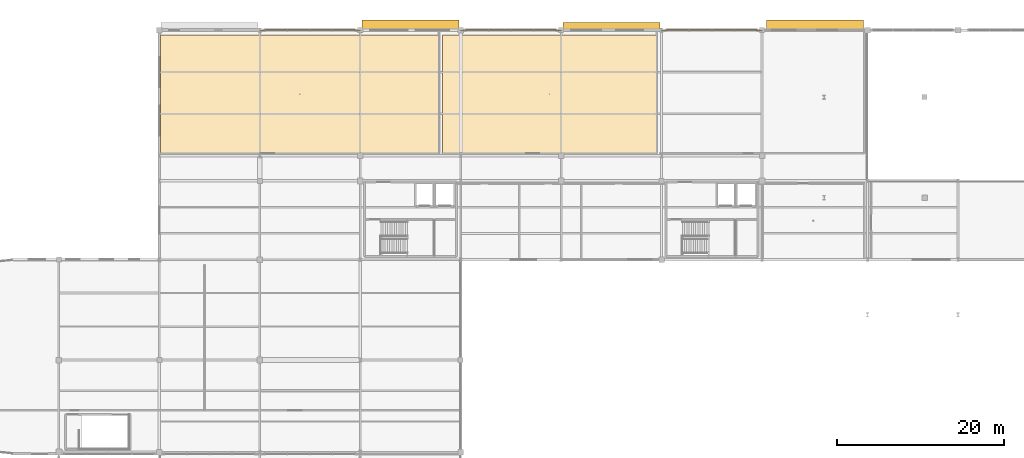
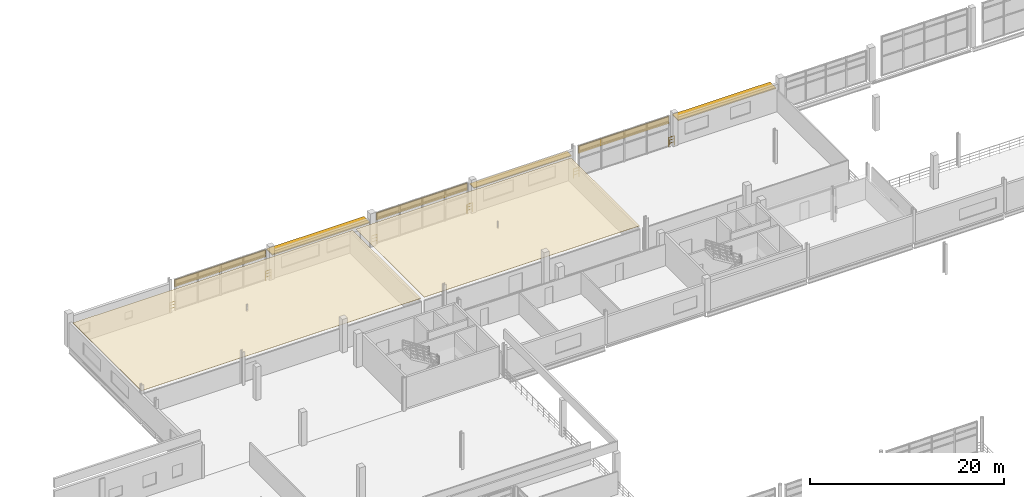
# One storey, part 89 of 89: 6 railings, 5 coverings, 3 shading devices.
"""IFC4 building model written with IfcOpenShell, lengths in metres."""

from ifc_helpers import new_model, si_unit, direction, frame, origin, origin_2d, place, context, subcontext, project, spatial, rectangle, circle, extrude, material, layer, layer_set, type_object, element, save


model = new_model("IFC4")

# Units and contexts
model_context = context("Model", 3, precision=1e-05, world=origin(), true_north=direction((0.0, 1.0)))
body_context = subcontext(model_context, "Body", "Model", "MODEL_VIEW")
ifc_project = project(units=[si_unit("LENGTHUNIT", "METRE"), si_unit("AREAUNIT", "SQUARE_METRE"), si_unit("VOLUMEUNIT", "CUBIC_METRE"), si_unit("PLANEANGLEUNIT", "RADIAN"), si_unit("MASSUNIT", "GRAM", prefix="KILO"), si_unit("THERMODYNAMICTEMPERATUREUNIT", "KELVIN"), si_unit("POWERUNIT", "WATT")], contexts=[model_context])

# Site, building, storey
site_placement = place(None, origin())
site = spatial("IfcSite", under=ifc_project, at=site_placement, CompositionType="ELEMENT")
building_placement = place(site_placement, origin())
building = spatial("IfcBuilding", under=site, at=building_placement, Name="Solmara Park Aquatics Centre", CompositionType="ELEMENT")
storey_placement = place(building_placement, frame((0.0, 0.0, 5.39990234375)))
storey = spatial("IfcBuildingStorey", under=building, at=storey_placement, Name="L01", CompositionType="ELEMENT", Elevation=5.39990234375)

# Coverings
ifc_material_1 = material(Name="Perforated Anodised Bronze Solar Screen", Category="aluminium")
ifc_layer_1 = layer(ifc_material_1, 0.1201171875, Name="Perforated Anodised Bronze Solar Screen")
ifc_layer_set_1 = layer_set([ifc_layer_1], Name="Perforated Anodised Bronze Solar Screen")
covering_type_1 = type_object("IfcCoveringType", Name="ARC-COV-BRONZE", PredefinedType="CLADDING", material=ifc_layer_set_1)
for number, where, z_axis, x_axis, name in (
    (1, (42.60009765625, 136.050048828125, 2.880126953125), (0.0, 0.0, 1.0), (1.0, 0.0, 0.0), "Perforated Bronze Solar Screen 004"),
    (2, (66.60009765625, 136.050048828125, 2.880126953125), (0.0, 0.0, 1.0), (1.0, 0.0, 0.0), "Perforated Bronze Solar Screen 005"),
    (3, (90.60009765625, 136.050048828125, 2.880126953125), (0.0, 0.0, 1.0), (1.0, 0.0, 0.0), "Perforated Bronze Solar Screen 006"),
):
    element("IfcCovering", number, at=place(storey_placement, frame(where, z_axis=z_axis, x_axis=x_axis)), inside=storey, type_object=covering_type_1, Name=name, PredefinedType="CLADDING", context=body_context, shape_type="SweptSolid", body=[
        extrude(rectangle(XDim=10.800048828125, YDim=0.1201171875, at=origin_2d()), origin(), (0.0, 0.0, 1.0), 0.89990234375),
    ])
ifc_material_2 = material(Name="Moisture-Resistant Perforated Acoustic Gypsum Ceiling", Category="gypsum")
ifc_layer_2 = layer(ifc_material_2, 0.0400390625, Name="Moisture-Resistant Perforated Acoustic Gypsum Ceiling")
ifc_layer_set_2 = layer_set([ifc_layer_2], Name="Moisture-Resistant Perforated Acoustic Gypsum Ceiling")
covering_type_2 = type_object("IfcCoveringType", Name="ARC-COV-CEIL", PredefinedType="CEILING", material=ifc_layer_set_2)
covering_1_placement = place(storey_placement, frame((41.375, 128.35009765625, 3.080078125), z_axis=(0.0, 0.0, 1.0), x_axis=(1.0, 0.0, 0.0)))
element("IfcCovering", 4, at=covering_1_placement, inside=storey, type_object=covering_type_2, Name="Acoustic Suspended Ceiling L01-GYM-01", PredefinedType="CEILING", context=body_context, shape_type="SweptSolid", body=[
    extrude(rectangle(XDim=33.25, YDim=14.10009765625, at=origin_2d()), origin(), (0.0, 0.0, 1.0), 0.0400390625),
])
covering_2_placement = place(storey_placement, frame((71.199951171875, 128.35009765625, 3.080078125), z_axis=(0.0, 0.0, 1.0), x_axis=(1.0, 0.0, 0.0)))
element("IfcCovering", 5, at=covering_2_placement, inside=storey, type_object=covering_type_2, Name="Acoustic Suspended Ceiling L01-GYM-02", PredefinedType="CEILING", context=body_context, shape_type="SweptSolid", body=[
    extrude(rectangle(XDim=25.60009765625, YDim=14.10009765625, at=origin_2d()), origin(), (0.0, 0.0, 1.0), 0.0400390625),
])

# Railings
ifc_material_3 = material(Name="Toughened Glass and Stainless Steel Stand Guardrail", Category="steel")
ifc_layer_3 = layer(ifc_material_3, 0.06005859375, Name="Toughened Glass and Stainless Steel Stand Guardrail")
ifc_layer_set_3 = layer_set([ifc_layer_3], Name="Toughened Glass and Stainless Steel Stand Guardrail")
railing_type = type_object("IfcRailingType", Name="ARC-RL-STD110", PredefinedType="GUARDRAIL", material=ifc_layer_set_3)
railing_1_placement = place(storey_placement, frame((36.60009765625, 135.93994140625, 0.0)))
element("IfcRailing", 6, at=railing_1_placement, inside=storey, type_object=railing_type, Name="L01 Slab Edge Guardrail 070", PredefinedType="GUARDRAIL", context=body_context, shape_type="SweptSolid", body=[
    extrude(circle(Radius=0.02392578125, at=origin_2d()), frame((0.0, 0.0, 1.15576171875), z_axis=(1.0, 0.0, 0.0), x_axis=(0.0, 1.0, 0.0)), (0.0, 0.0, 1.0), 0.619873046875),
    extrude(circle(Radius=0.01416015625, at=origin_2d()), frame((0.0, 0.0, 0.4130859375), z_axis=(1.0, 0.0, 0.0), x_axis=(0.0, 1.0, 0.0)), (0.0, 0.0, 1.0), 0.619873046875),
    extrude(circle(Radius=0.01416015625, at=origin_2d()), frame((0.0, 0.0, 0.80224609375), z_axis=(1.0, 0.0, 0.0), x_axis=(0.0, 1.0, 0.0)), (0.0, 0.0, 1.0), 0.619873046875),
    extrude(circle(Radius=0.02099609375, at=origin_2d()), origin(), (0.0, 0.0, 1.0), 1.1318359375),
    extrude(circle(Radius=0.02099609375, at=origin_2d()), frame((0.619873046875, 0.0, 0.0)), (0.0, 0.0, 1.0), 1.1318359375),
])
railing_2_placement = place(storey_placement, frame((47.93994140625, 135.93994140625, 0.0)))
element("IfcRailing", 7, at=railing_2_placement, inside=storey, type_object=railing_type, Name="L01 Slab Edge Guardrail 071", PredefinedType="GUARDRAIL", context=body_context, shape_type="SweptSolid", body=[
    extrude(circle(Radius=0.02392578125, at=origin_2d()), frame((0.0, 0.0, 1.15576171875), z_axis=(1.0, 0.0, 0.0), x_axis=(0.0, 1.0, 0.0)), (0.0, 0.0, 1.0), 0.66015625),
    extrude(circle(Radius=0.01416015625, at=origin_2d()), frame((0.0, 0.0, 0.4130859375), z_axis=(1.0, 0.0, 0.0), x_axis=(0.0, 1.0, 0.0)), (0.0, 0.0, 1.0), 0.66015625),
    extrude(circle(Radius=0.01416015625, at=origin_2d()), frame((0.0, 0.0, 0.80224609375), z_axis=(1.0, 0.0, 0.0), x_axis=(0.0, 1.0, 0.0)), (0.0, 0.0, 1.0), 0.66015625),
    extrude(circle(Radius=0.02099609375, at=origin_2d()), origin(), (0.0, 0.0, 1.0), 1.1318359375),
    extrude(circle(Radius=0.02099609375, at=origin_2d()), frame((0.66015625, 0.0, 0.0)), (0.0, 0.0, 1.0), 1.1318359375),
])
railing_3_placement = place(storey_placement, frame((60.60009765625, 135.93994140625, 0.0)))
element("IfcRailing", 8, at=railing_3_placement, inside=storey, type_object=railing_type, Name="L01 Slab Edge Guardrail 072", PredefinedType="GUARDRAIL", context=body_context, shape_type="SweptSolid", body=[
    extrude(circle(Radius=0.02392578125, at=origin_2d()), frame((0.0, 0.0, 1.15576171875), z_axis=(1.0, 0.0, 0.0), x_axis=(0.0, 1.0, 0.0)), (0.0, 0.0, 1.0), 0.619873046875),
    extrude(circle(Radius=0.01416015625, at=origin_2d()), frame((0.0, 0.0, 0.4130859375), z_axis=(1.0, 0.0, 0.0), x_axis=(0.0, 1.0, 0.0)), (0.0, 0.0, 1.0), 0.619873046875),
    extrude(circle(Radius=0.01416015625, at=origin_2d()), frame((0.0, 0.0, 0.80224609375), z_axis=(1.0, 0.0, 0.0), x_axis=(0.0, 1.0, 0.0)), (0.0, 0.0, 1.0), 0.619873046875),
    extrude(circle(Radius=0.02099609375, at=origin_2d()), origin(), (0.0, 0.0, 1.0), 1.1318359375),
    extrude(circle(Radius=0.02099609375, at=origin_2d()), frame((0.619873046875, 0.0, 0.0)), (0.0, 0.0, 1.0), 1.1318359375),
])
railing_4_placement = place(storey_placement, frame((71.93994140625, 135.93994140625, 0.0)))
element("IfcRailing", 9, at=railing_4_placement, inside=storey, type_object=railing_type, Name="L01 Slab Edge Guardrail 073", PredefinedType="GUARDRAIL", context=body_context, shape_type="SweptSolid", body=[
    extrude(circle(Radius=0.02392578125, at=origin_2d()), frame((0.0, 0.0, 1.15576171875), z_axis=(1.0, 0.0, 0.0), x_axis=(0.0, 1.0, 0.0)), (0.0, 0.0, 1.0), 0.66015625),
    extrude(circle(Radius=0.01416015625, at=origin_2d()), frame((0.0, 0.0, 0.4130859375), z_axis=(1.0, 0.0, 0.0), x_axis=(0.0, 1.0, 0.0)), (0.0, 0.0, 1.0), 0.66015625),
    extrude(circle(Radius=0.01416015625, at=origin_2d()), frame((0.0, 0.0, 0.80224609375), z_axis=(1.0, 0.0, 0.0), x_axis=(0.0, 1.0, 0.0)), (0.0, 0.0, 1.0), 0.66015625),
    extrude(circle(Radius=0.02099609375, at=origin_2d()), origin(), (0.0, 0.0, 1.0), 1.1318359375),
    extrude(circle(Radius=0.02099609375, at=origin_2d()), frame((0.66015625, 0.0, 0.0)), (0.0, 0.0, 1.0), 1.1318359375),
])
railing_5_placement = place(storey_placement, frame((84.60009765625, 135.93994140625, 0.0)))
element("IfcRailing", 10, at=railing_5_placement, inside=storey, type_object=railing_type, Name="L01 Slab Edge Guardrail 074", PredefinedType="GUARDRAIL", context=body_context, shape_type="SweptSolid", body=[
    extrude(circle(Radius=0.02392578125, at=origin_2d()), frame((0.0, 0.0, 1.15576171875), z_axis=(1.0, 0.0, 0.0), x_axis=(0.0, 1.0, 0.0)), (0.0, 0.0, 1.0), 0.619873046875),
    extrude(circle(Radius=0.01416015625, at=origin_2d()), frame((0.0, 0.0, 0.4130859375), z_axis=(1.0, 0.0, 0.0), x_axis=(0.0, 1.0, 0.0)), (0.0, 0.0, 1.0), 0.619873046875),
    extrude(circle(Radius=0.01416015625, at=origin_2d()), frame((0.0, 0.0, 0.80224609375), z_axis=(1.0, 0.0, 0.0), x_axis=(0.0, 1.0, 0.0)), (0.0, 0.0, 1.0), 0.619873046875),
    extrude(circle(Radius=0.02099609375, at=origin_2d()), origin(), (0.0, 0.0, 1.0), 1.1318359375),
    extrude(circle(Radius=0.02099609375, at=origin_2d()), frame((0.619873046875, 0.0, 0.0)), (0.0, 0.0, 1.0), 1.1318359375),
])
railing_6_placement = place(storey_placement, frame((95.93994140625, 135.93994140625, 0.0)))
element("IfcRailing", 11, at=railing_6_placement, inside=storey, type_object=railing_type, Name="L01 Slab Edge Guardrail 075", PredefinedType="GUARDRAIL", context=body_context, shape_type="SweptSolid", body=[
    extrude(circle(Radius=0.02392578125, at=origin_2d()), frame((0.0, 0.0, 1.15576171875), z_axis=(1.0, 0.0, 0.0), x_axis=(0.0, 1.0, 0.0)), (0.0, 0.0, 1.0), 0.66015625),
    extrude(circle(Radius=0.01416015625, at=origin_2d()), frame((0.0, 0.0, 0.4130859375), z_axis=(1.0, 0.0, 0.0), x_axis=(0.0, 1.0, 0.0)), (0.0, 0.0, 1.0), 0.66015625),
    extrude(circle(Radius=0.01416015625, at=origin_2d()), frame((0.0, 0.0, 0.80224609375), z_axis=(1.0, 0.0, 0.0), x_axis=(0.0, 1.0, 0.0)), (0.0, 0.0, 1.0), 0.66015625),
    extrude(circle(Radius=0.02099609375, at=origin_2d()), origin(), (0.0, 0.0, 1.0), 1.1318359375),
    extrude(circle(Radius=0.02099609375, at=origin_2d()), frame((0.66015625, 0.0, 0.0)), (0.0, 0.0, 1.0), 1.1318359375),
])

# Shading devices
ifc_material_4 = material(Name="Anodised Bronze Aluminium", Category="aluminium")
shading_device_type_1 = type_object("IfcShadingDeviceType", Name="ARC-SHD-EYE1200", PredefinedType="USERDEFINED", material=ifc_material_4)
for number, where, z_axis, x_axis, name in (
    (12, (54.60009765625, 136.6201171875, 2.7802734375), (0.0, 0.0, 1.0), (1.0, 0.0, 0.0), "Streamline Sun-Shading Eyebrow 006"),
    (13, (102.89990234375, 136.6201171875, 2.7802734375), (0.0, 0.0, 1.0), (1.0, 0.0, 0.0), "Streamline Sun-Shading Eyebrow 008"),
):
    element("IfcShadingDevice", number, at=place(storey_placement, frame(where, z_axis=z_axis, x_axis=x_axis)), inside=storey, type_object=shading_device_type_1, Name=name, ObjectType="SUNSHADE", PredefinedType="USERDEFINED", context=body_context, shape_type="SweptSolid", body=[
        extrude(rectangle(XDim=11.60009765625, YDim=1.199951171875, at=origin_2d()), origin(), (0.0, 0.0, 1.0), 0.139892578125),
    ])
shading_device_type_2 = type_object("IfcShadingDeviceType", Name="ARC-SHD-EYE900", PredefinedType="USERDEFINED", material=ifc_material_4)
shading_device_placement = place(storey_placement, frame((78.60009765625, 136.469970703125, 2.7900390625), z_axis=(0.0, 0.0, 1.0), x_axis=(1.0, 0.0, 0.0)))
element("IfcShadingDevice", 14, at=shading_device_placement, inside=storey, type_object=shading_device_type_2, Name="Streamline Sun-Shading Eyebrow 007", ObjectType="SUNSHADE", PredefinedType="USERDEFINED", context=body_context, shape_type="SweptSolid", body=[
    extrude(rectangle(XDim=11.60009765625, YDim=0.89990234375, at=origin_2d()), origin(), (0.0, 0.0, 1.0), 0.1201171875),
])

save(model, "model.ifc")
